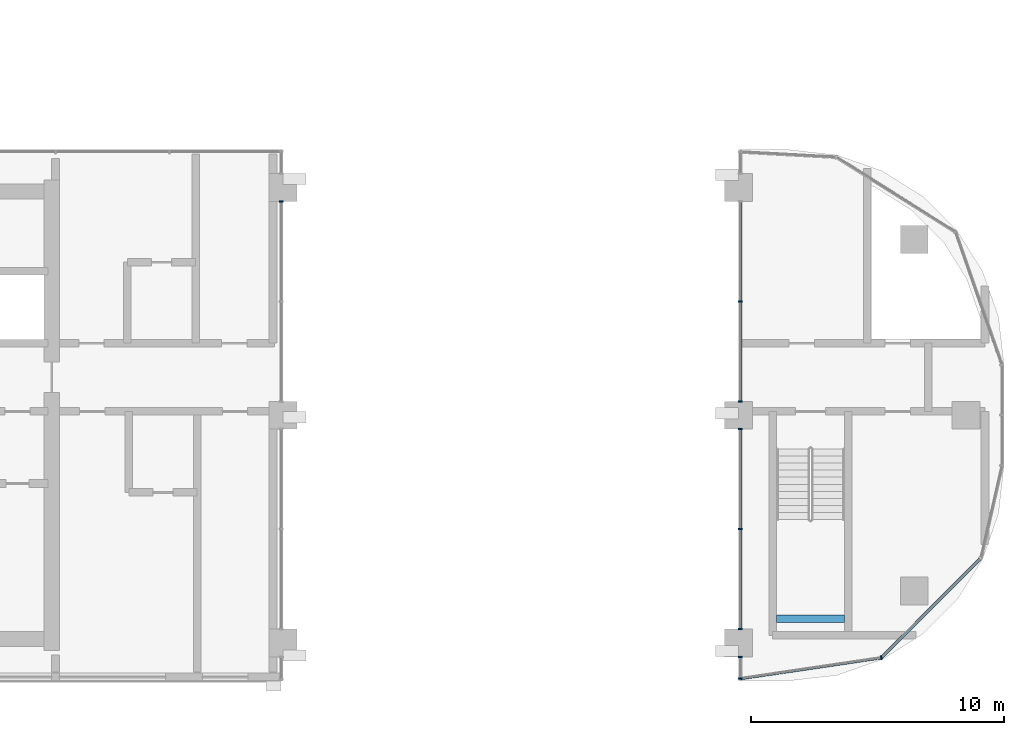
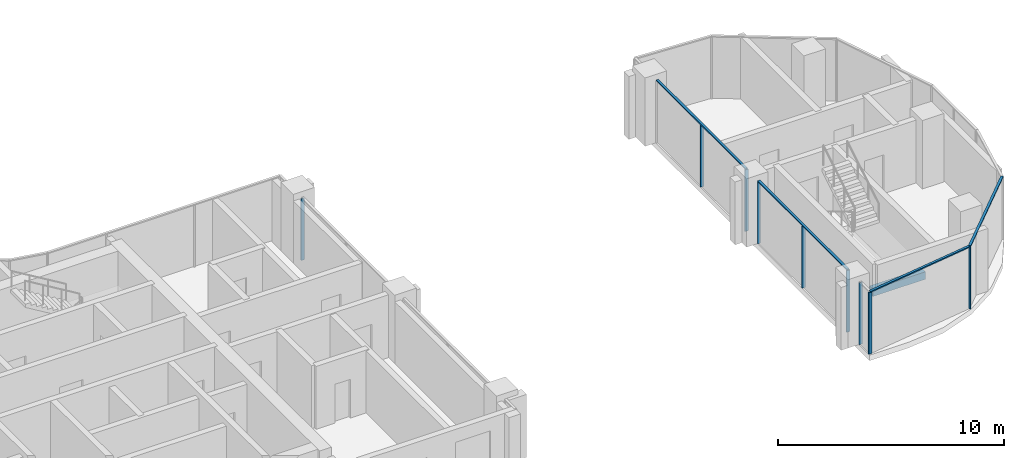
# One storey, part 3 of 23: 13 members, 1 beam, 5 elements without a shape of their own.
"""IFC4 building model written with IfcOpenShell, lengths in metres."""

from ifc_helpers import new_model, si_unit, direction, frame, origin, origin_2d, place, context, subcontext, project, spatial, rectangle, extrude, material, material_profile, profile_set, type_object, element, aggregate, save


model = new_model("IFC4")

# Units and contexts
model_context = context("Model", 3, precision=1e-05, world=origin(), true_north=direction((0.0, 1.0)))
body_context = subcontext(model_context, "Body", "Model", "MODEL_VIEW")
ifc_project = project(units=[si_unit("LENGTHUNIT", "METRE"), si_unit("AREAUNIT", "SQUARE_METRE"), si_unit("VOLUMEUNIT", "CUBIC_METRE"), si_unit("PLANEANGLEUNIT", "RADIAN"), si_unit("MASSUNIT", "GRAM", prefix="KILO")], contexts=[model_context])

# Site, building, storey
site_placement = place(None, origin())
site = spatial("IfcSite", under=ifc_project, at=site_placement, CompositionType="ELEMENT")
building_placement = place(site_placement, origin())
building = spatial("IfcBuilding", under=site, at=building_placement, Name="Ogive Portal Towers", CompositionType="ELEMENT")
storey_placement = place(building_placement, frame((0.0, 0.0, 149.60009765625)))
storey = spatial("IfcBuildingStorey", under=building, at=storey_placement, Name="L36", CompositionType="ELEMENT", Elevation=149.60009765625)

# Beam
ifc_material_1 = material(Name="Concrete C40/50", Category="concrete")
ifc_material_profile_1 = material_profile(ifc_material_1, rectangle(XDim=0.300048828125, YDim=0.39990234375, at=origin_2d()), Name="RC 300x400")
ifc_profile_set_1 = profile_set([ifc_material_profile_1], Name="Concrete C40/50")
beam_type = type_object("IfcBeamType", Name="BEAM RC 300x400", PredefinedType="BEAM", material=ifc_profile_set_1)
beam_placement = place(storey_placement, frame((87.0, 22.449951171875, 1.449951171875), z_axis=(1.0, 0.0, 0.0), x_axis=(0.0, 1.0, 0.0)))
element("IfcBeam", 1, at=beam_placement, inside=storey, type_object=beam_type, Name="Landing beam L36", PredefinedType="BEAM", context=body_context, shape_type="SweptSolid", body=[
    extrude(rectangle(XDim=0.300048828125, YDim=0.39990234375, at=origin_2d()), origin(), (0.0, 0.0, 1.0), 2.699951171875),
])

# Curtain wall, member
ifc_material_2 = material(Name="Glass, clear low-iron insulated glazing", Category="glass")
curtain_wall_type_1 = type_object("IfcCurtainWallType", Name="CW PORTAL REVEAL", PredefinedType="NOTDEFINED", material=ifc_material_2)
curtain_wall_1_placement = place(storey_placement, origin())
curtain_wall_1 = element("IfcCurtainWall", 2, at=curtain_wall_1_placement, inside=storey, type_object=curtain_wall_type_1, Name="A:L36:f07:cw0~2", PredefinedType="NOTDEFINED")
ifc_material_3 = material(Name="Aluminium 6063 anodised", Category="aluminium")
ifc_material_profile_2 = material_profile(ifc_material_3, rectangle(XDim=0.159912109375, YDim=0.06005859375, at=origin_2d()), Name="AL 60x160")
ifc_profile_set_2 = profile_set([ifc_material_profile_2], Name="Aluminium 6063 anodised")
member_type_1 = type_object("IfcMemberType", Name="CW MULLION 60x160", PredefinedType="MULLION", material=ifc_profile_set_2)
member_1_placement = place(storey_placement, frame((67.419921875, 38.949951171875, 0.0), z_axis=(0.0, 0.0, 1.0), x_axis=(-1.0, 0.0, 0.0)))
member_1 = element("IfcMember", 3, at=member_1_placement, type_object=member_type_1, Name="mullion", PredefinedType="MULLION", context=body_context, shape_type="SweptSolid", body=[
    extrude(rectangle(XDim=0.159912109375, YDim=0.06005859375, at=origin_2d()), origin(), (0.0, 0.0, 1.0), 3.33984375),
])
aggregate(curtain_wall_1, [member_1])

# Curtain wall, members
curtain_wall_2_placement = place(storey_placement, origin())
curtain_wall_2 = element("IfcCurtainWall", 4, at=curtain_wall_2_placement, inside=storey, type_object=curtain_wall_type_1, Name="A:L36:f22:cw0~1", PredefinedType="NOTDEFINED")
member_2_placement = place(storey_placement, frame((85.580078125, 35.0, 0.0), z_axis=(0.0, 0.0, 1.0), x_axis=(1.0, 0.0, 0.0)))
member_2 = element("IfcMember", 5, at=member_2_placement, type_object=member_type_1, Name="mullion", PredefinedType="MULLION", context=body_context, shape_type="SweptSolid", body=[
    extrude(rectangle(XDim=0.159912109375, YDim=0.06005859375, at=origin_2d()), origin(), (0.0, 0.0, 1.0), 3.33984375),
])
member_3_placement = place(storey_placement, frame((85.580078125, 31.050048828125, 0.0), z_axis=(0.0, 0.0, 1.0), x_axis=(1.0, 0.0, 0.0)))
member_3 = element("IfcMember", 6, at=member_3_placement, type_object=member_type_1, Name="mullion", PredefinedType="MULLION", context=body_context, shape_type="SweptSolid", body=[
    extrude(rectangle(XDim=0.159912109375, YDim=0.06005859375, at=origin_2d()), origin(), (0.0, 0.0, 1.0), 3.33984375),
])

curtain_wall_3_placement = place(storey_placement, origin())
curtain_wall_3 = element("IfcCurtainWall", 7, at=curtain_wall_3_placement, inside=storey, type_object=curtain_wall_type_1, Name="A:L36:f22:cw0~2", PredefinedType="NOTDEFINED")
member_4_placement = place(storey_placement, frame((85.580078125, 29.949951171875, 0.0), z_axis=(0.0, 0.0, 1.0), x_axis=(1.0, 0.0, 0.0)))
member_4 = element("IfcMember", 8, at=member_4_placement, type_object=member_type_1, Name="mullion", PredefinedType="MULLION", context=body_context, shape_type="SweptSolid", body=[
    extrude(rectangle(XDim=0.159912109375, YDim=0.06005859375, at=origin_2d()), origin(), (0.0, 0.0, 1.0), 3.33984375),
])
member_5_placement = place(storey_placement, frame((85.580078125, 26.0, 0.0), z_axis=(0.0, 0.0, 1.0), x_axis=(1.0, 0.0, 0.0)))
member_5 = element("IfcMember", 9, at=member_5_placement, type_object=member_type_1, Name="mullion", PredefinedType="MULLION", context=body_context, shape_type="SweptSolid", body=[
    extrude(rectangle(XDim=0.159912109375, YDim=0.06005859375, at=origin_2d()), origin(), (0.0, 0.0, 1.0), 3.33984375),
])
member_6_placement = place(storey_placement, frame((85.580078125, 22.050048828125, 0.0), z_axis=(0.0, 0.0, 1.0), x_axis=(1.0, 0.0, 0.0)))
member_6 = element("IfcMember", 10, at=member_6_placement, type_object=member_type_1, Name="mullion", PredefinedType="MULLION", context=body_context, shape_type="SweptSolid", body=[
    extrude(rectangle(XDim=0.159912109375, YDim=0.06005859375, at=origin_2d()), origin(), (0.0, 0.0, 1.0), 3.33984375),
])

curtain_wall_4_placement = place(storey_placement, origin())
curtain_wall_4 = element("IfcCurtainWall", 11, at=curtain_wall_4_placement, inside=storey, type_object=curtain_wall_type_1, Name="A:L36:f22:cw0~3", PredefinedType="NOTDEFINED")
member_7_placement = place(storey_placement, frame((85.580078125, 20.949951171875, 0.0), z_axis=(0.0, 0.0, 1.0), x_axis=(1.0, 0.0, 0.0)))
member_7 = element("IfcMember", 12, at=member_7_placement, type_object=member_type_1, Name="mullion", PredefinedType="MULLION", context=body_context, shape_type="SweptSolid", body=[
    extrude(rectangle(XDim=0.159912109375, YDim=0.06005859375, at=origin_2d()), origin(), (0.0, 0.0, 1.0), 3.33984375),
])
member_8_placement = place(storey_placement, frame((85.580078125, 20.0927734375, 0.0), z_axis=(0.0, 0.0, 1.0), x_axis=(1.0, 0.0, 0.0)))
member_8 = element("IfcMember", 13, at=member_8_placement, type_object=member_type_1, Name="mullion", PredefinedType="MULLION", context=body_context, shape_type="SweptSolid", body=[
    extrude(rectangle(XDim=0.159912109375, YDim=0.06005859375, at=origin_2d()), origin(), (0.0, 0.0, 1.0), 3.33984375),
])
aggregate(curtain_wall_4, [member_7, member_8])

# Curtain wall, member
curtain_wall_type_2 = type_object("IfcCurtainWallType", Name="CW FRONT RIBBON 4500", PredefinedType="NOTDEFINED", material=ifc_material_2)
curtain_wall_5_placement = place(storey_placement, origin())
curtain_wall_5 = element("IfcCurtainWall", 14, at=curtain_wall_5_placement, inside=storey, type_object=curtain_wall_type_2, Name="A:L36:f23:cwa", PredefinedType="NOTDEFINED")
member_9_placement = place(storey_placement, frame((91.150146484375, 20.9169921875, 0.0), z_axis=(0.0, 0.0, 1.0), x_axis=(-0.146394853187, 0.98922623649, 0.0)))
member_9 = element("IfcMember", 15, at=member_9_placement, type_object=member_type_1, Name="mullion", PredefinedType="MULLION", context=body_context, shape_type="SweptSolid", body=[
    extrude(rectangle(XDim=0.159912109375, YDim=0.06005859375, at=origin_2d()), origin(), (0.0, 0.0, 1.0), 3.33984375),
])

# Member
ifc_material_profile_3 = material_profile(ifc_material_3, rectangle(XDim=0.1201171875, YDim=0.06005859375, at=origin_2d()), Name="AL 120x60")
ifc_profile_set_3 = profile_set([ifc_material_profile_3], Name="Aluminium 6063 anodised")
member_type_2 = type_object("IfcMemberType", Name="CW TRANSOM 60x120", PredefinedType="USERDEFINED", material=ifc_profile_set_3)
member_10_placement = place(storey_placement, frame((85.580078125, 38.949951171875, 3.369873046875), z_axis=(0.0, -1.0, 0.0), x_axis=(1.0, 0.0, 0.0)))
member_10 = element("IfcMember", 16, at=member_10_placement, type_object=member_type_2, Name="transom", ObjectType="TRANSOM", PredefinedType="USERDEFINED", context=body_context, shape_type="SweptSolid", body=[
    extrude(rectangle(XDim=0.1201171875, YDim=0.06005859375, at=origin_2d()), origin(), (0.0, 0.0, 1.0), 7.89990234375),
])

aggregate(curtain_wall_2, [member_10, member_2, member_3])

member_11_placement = place(storey_placement, frame((85.580078125, 29.949951171875, 3.369873046875), z_axis=(0.0, -1.0, 0.0), x_axis=(1.0, 0.0, 0.0)))
member_11 = element("IfcMember", 17, at=member_11_placement, type_object=member_type_2, Name="transom", ObjectType="TRANSOM", PredefinedType="USERDEFINED", context=body_context, shape_type="SweptSolid", body=[
    extrude(rectangle(XDim=0.1201171875, YDim=0.06005859375, at=origin_2d()), origin(), (0.0, 0.0, 1.0), 7.89990234375),
])

aggregate(curtain_wall_3, [member_11, member_4, member_5, member_6])

member_12_placement = place(storey_placement, frame((85.580078125, 20.0927734375, 3.369873046875), z_axis=(0.989228590018, 0.146378948933, 0.0), x_axis=(-0.146378948933, 0.989228590018, 0.0)))
member_12 = element("IfcMember", 18, at=member_12_placement, type_object=member_type_2, Name="transom", ObjectType="TRANSOM", PredefinedType="USERDEFINED", context=body_context, shape_type="SweptSolid", body=[
    extrude(rectangle(XDim=0.1201171875, YDim=0.06005859375, at=origin_2d()), origin(), (0.0, 0.0, 1.0), 5.630615234375),
])

member_13_placement = place(storey_placement, frame((91.150146484375, 20.9169921875, 3.369873046875), z_axis=(0.707106781187, 0.707106781187, 0.0), x_axis=(-0.707106781187, 0.707106781187, 0.0)))
member_13 = element("IfcMember", 19, at=member_13_placement, type_object=member_type_2, Name="transom", ObjectType="TRANSOM", PredefinedType="USERDEFINED", context=body_context, shape_type="SweptSolid", body=[
    extrude(rectangle(XDim=0.1201171875, YDim=0.06005859375, at=origin_2d()), origin(), (0.0, 0.0, 1.0), 5.5654296875),
])

aggregate(curtain_wall_5, [member_12, member_13, member_9])

save(model, "model.ifc")
